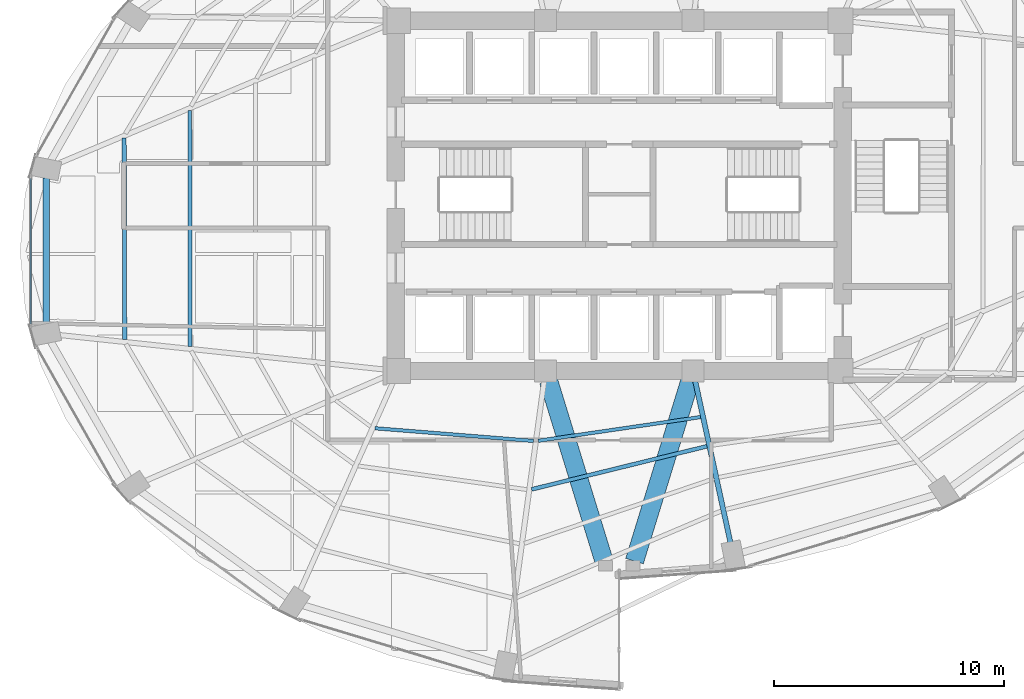
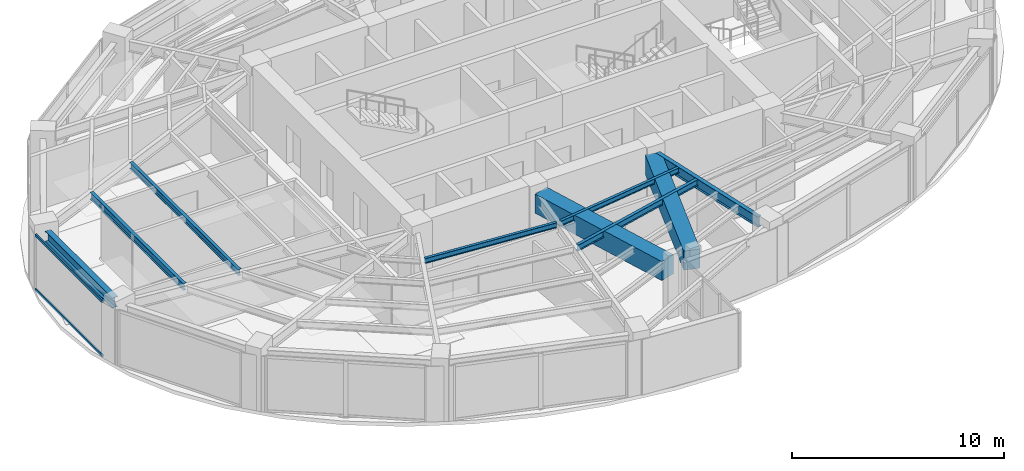
# One storey, part 7 of 24: 9 beams, 2 members, 1 element without a shape of its own.
"""IFC4 building model written with IfcOpenShell, lengths in metres."""

from ifc_helpers import new_model, si_unit, direction, frame, origin, origin_2d, place, context, subcontext, project, spatial, rectangle, hollow_rectangle, i_section, extrude, material, layer, layer_set, material_profile, profile_set, type_object, element, aggregate, save


model = new_model("IFC4")

# Units and contexts
model_context = context("Model", 3, precision=1e-05, world=origin(), true_north=direction((0.0, 1.0)))
body_context = subcontext(model_context, "Body", "Model", "MODEL_VIEW")
ifc_project = project(units=[si_unit("LENGTHUNIT", "METRE"), si_unit("AREAUNIT", "SQUARE_METRE"), si_unit("VOLUMEUNIT", "CUBIC_METRE"), si_unit("PLANEANGLEUNIT", "RADIAN"), si_unit("MASSUNIT", "GRAM", prefix="KILO")], contexts=[model_context])

# Site, building, storey
site_placement = place(None, origin())
site = spatial("IfcSite", under=ifc_project, at=site_placement, CompositionType="ELEMENT")
building_placement = place(site_placement, origin())
building = spatial("IfcBuilding", under=site, at=building_placement, Name="Lazwardi Medical Tower", CompositionType="ELEMENT")
storey_placement = place(building_placement, frame((0.0, 0.0, 129.16796875)))
storey = spatial("IfcBuildingStorey", under=building, at=storey_placement, Name="L33", CompositionType="ELEMENT", Elevation=129.16796875)

# Beams
ifc_material_1 = material(Name="Concrete C70/85", Category="concrete")
ifc_material_profile_1 = material_profile(ifc_material_1, rectangle(XDim=0.800048828125, YDim=1.10009765625, at=origin_2d()), Name="RC 800x1100")
ifc_profile_set_1 = profile_set([ifc_material_profile_1], Name="Concrete C70/85")
beam_type_1 = type_object("IfcBeamType", Name="BM-CB-RC1", PredefinedType="LINTEL", material=ifc_profile_set_1)
for number, where, z_axis, x_axis, name in (
    (1, (32.935302734375, 19.960205078125, 2.64794921875), (0.294073251002, -0.955782884888, 0.0), (0.955782884888, 0.294073251002, 0.0), "Core coupling lintel CB-01 PL3 L33"),
    (2, (39.064697265625, 19.960205078125, 2.64794921875), (-0.294073251002, -0.955782884888, 0.0), (0.955782884888, -0.294073251002, 0.0), "Core coupling lintel CB-01 PL4 L33"),
):
    element("IfcBeam", number, at=place(storey_placement, frame(where, z_axis=z_axis, x_axis=x_axis)), inside=storey, type_object=beam_type_1, Name=name, PredefinedType="LINTEL", context=body_context, shape_type="SweptSolid", body=[
        extrude(rectangle(XDim=0.800048828125, YDim=1.10009765625, at=origin_2d()), origin(), (0.0, 0.0, 1.0), 8.1708984375),
    ])
ifc_material_2 = material(Name="Steel S355", Category="steel")
ifc_material_profile_2 = material_profile(ifc_material_2, i_section(OverallWidth=0.300048828125, OverallDepth=0.60009765625, WebThickness=0.015380859375, FlangeThickness=0.030029296875, at=origin_2d()), Name="HEB 600")
ifc_profile_set_2 = profile_set([ifc_material_profile_2], Name="Steel S355")
beam_type_2 = type_object("IfcBeamType", Name="BM-RB-Z2", PredefinedType="BEAM", material=ifc_profile_set_2)
beam_1_placement = place(storey_placement, frame((11.13720703125, 28.77001953125, 2.89794921875), z_axis=(0.0, -1.0, 0.0), x_axis=(1.0, 0.0, 0.0)))
element("IfcBeam", 3, at=beam_1_placement, inside=storey, type_object=beam_type_2, Name="Ring beam RB-03 B12 L33", PredefinedType="BEAM", context=body_context, shape_type="SweptSolid", body=[
    extrude(i_section(OverallWidth=0.300048828125, OverallDepth=0.60009765625, WebThickness=0.015380859375, FlangeThickness=0.030029296875, at=origin_2d()), origin(), (0.0, 0.0, 1.0), 6.33984375),
])
ifc_material_profile_3 = material_profile(ifc_material_2, i_section(OverallWidth=0.219970703125, OverallDepth=0.60009765625, WebThickness=0.011962890625, FlangeThickness=0.01904296875, at=origin_2d()), Name="IPE 600")
ifc_profile_set_3 = profile_set([ifc_material_profile_3], Name="Steel S355")
beam_type_3 = type_object("IfcBeamType", Name="BM-RG-W1", PredefinedType="BEAM", material=ifc_profile_set_3)
beam_2_placement = place(storey_placement, frame((40.82177734375, 12.96923828125, 2.89794921875), z_axis=(-0.213228150441, 0.977002433907, 0.0), x_axis=(-0.977002433907, -0.213228150441, 0.0)))
element("IfcBeam", 4, at=beam_2_placement, inside=storey, type_object=beam_type_3, Name="Radial girder RG-02 R01 L33", PredefinedType="BEAM", context=body_context, shape_type="SweptSolid", body=[
    extrude(i_section(OverallWidth=0.219970703125, OverallDepth=0.60009765625, WebThickness=0.011962890625, FlangeThickness=0.01904296875, at=origin_2d()), origin(), (0.0, 0.0, 1.0), 7.145751953125),
])
ifc_material_profile_4 = material_profile(ifc_material_2, i_section(OverallWidth=0.179931640625, OverallDepth=0.39990234375, WebThickness=0.008544921875, FlangeThickness=0.013427734375, at=origin_2d()), Name="IPE 400")
ifc_profile_set_4 = profile_set([ifc_material_profile_4], Name="Steel S355")
beam_type_4 = type_object("IfcBeamType", Name="BM-SJ-01", PredefinedType="JOIST", material=ifc_profile_set_4)
beam_3_placement = place(storey_placement, frame((14.51904296875, 30.497314453125, 2.998046875), z_axis=(0.002907126978, -0.999995774297, 0.0), x_axis=(0.999995774297, 0.002907126978, 0.0)))
element("IfcBeam", 5, at=beam_3_placement, inside=storey, type_object=beam_type_4, Name="Secondary joist SJ-01 R1 B12 L33", PredefinedType="JOIST", context=body_context, shape_type="SweptSolid", body=[
    extrude(i_section(OverallWidth=0.179931640625, OverallDepth=0.39990234375, WebThickness=0.008544921875, FlangeThickness=0.013427734375, at=origin_2d()), origin(), (0.0, 0.0, 1.0), 8.73388671875),
])
ifc_material_profile_5 = material_profile(ifc_material_2, i_section(OverallWidth=0.169921875, OverallDepth=0.360107421875, WebThickness=0.008056640625, FlangeThickness=0.0126953125, at=origin_2d()), Name="IPE 360")
ifc_profile_set_5 = profile_set([ifc_material_profile_5], Name="Steel S355")
beam_type_5 = type_object("IfcBeamType", Name="BM-SJ-02", PredefinedType="JOIST", material=ifc_profile_set_5)
beam_4_placement = place(storey_placement, frame((17.365966796875, 31.69482421875, 3.01806640625), z_axis=(0.000930565095, -0.999999567024, 0.0), x_axis=(0.999999567024, 0.000930565095, 0.0)))
element("IfcBeam", 6, at=beam_4_placement, inside=storey, type_object=beam_type_5, Name="Secondary joist SJ-02 R2 B12 L33", PredefinedType="JOIST", context=body_context, shape_type="SweptSolid", body=[
    extrude(i_section(OverallWidth=0.169921875, OverallDepth=0.360107421875, WebThickness=0.008056640625, FlangeThickness=0.0126953125, at=origin_2d()), origin(), (0.0, 0.0, 1.0), 10.23193359375),
])
beam_5_placement = place(storey_placement, frame((32.19775390625, 15.262451171875, 3.01806640625), z_axis=(0.97107737879, 0.238764998276, 0.0), x_axis=(-0.238764998276, 0.97107737879, 0.0)))
element("IfcBeam", 7, at=beam_5_placement, inside=storey, type_object=beam_type_5, Name="Secondary joist SJ-02 R3 B16 L33", PredefinedType="JOIST", context=body_context, shape_type="SweptSolid", body=[
    extrude(i_section(OverallWidth=0.169921875, OverallDepth=0.360107421875, WebThickness=0.008056640625, FlangeThickness=0.0126953125, at=origin_2d()), origin(), (0.0, 0.0, 1.0), 7.83447265625),
])
ifc_material_profile_6 = material_profile(ifc_material_2, i_section(OverallWidth=0.14990234375, OverallDepth=0.300048828125, WebThickness=0.007080078125, FlangeThickness=0.0107421875, at=origin_2d()), Name="IPE 300")
ifc_profile_set_6 = profile_set([ifc_material_profile_6], Name="Steel S355")
beam_type_6 = type_object("IfcBeamType", Name="BM-SJ-03", PredefinedType="JOIST", material=ifc_profile_set_6)
beam_6_placement = place(storey_placement, frame((25.400390625, 17.914306640625, 3.048095703125), z_axis=(0.996816178299, -0.079733974445, 0.0), x_axis=(0.079733974445, 0.996816178299, 0.0)))
element("IfcBeam", 8, at=beam_6_placement, inside=storey, type_object=beam_type_6, Name="Secondary joist SJ-03 R4 B15 L33", PredefinedType="JOIST", context=body_context, shape_type="SweptSolid", body=[
    extrude(i_section(OverallWidth=0.14990234375, OverallDepth=0.300048828125, WebThickness=0.007080078125, FlangeThickness=0.0107421875, at=origin_2d()), origin(), (0.0, 0.0, 1.0), 6.901611328125),
])
beam_7_placement = place(storey_placement, frame((32.488525390625, 17.37060546875, 3.048095703125), z_axis=(0.98949221477, 0.144586157392, 0.0), x_axis=(-0.144586157392, 0.98949221477, 0.0)))
element("IfcBeam", 9, at=beam_7_placement, inside=storey, type_object=beam_type_6, Name="Secondary joist SJ-03 R4 B16 L33", PredefinedType="JOIST", context=body_context, shape_type="SweptSolid", body=[
    extrude(i_section(OverallWidth=0.14990234375, OverallDepth=0.300048828125, WebThickness=0.007080078125, FlangeThickness=0.0107421875, at=origin_2d()), origin(), (0.0, 0.0, 1.0), 7.115478515625),
])

# Curtain wall, members
ifc_material_3 = material(Name="Anodised bronze aluminium and solar control glazing", Category="aluminium")
ifc_layer = layer(ifc_material_3, 0.195068359375)
ifc_layer_set = layer_set([ifc_layer], Name="Anodised bronze aluminium and solar control glazing")
curtain_wall_type = type_object("IfcCurtainWallType", Name="CW-SYS-03", PredefinedType="NOTDEFINED", material=ifc_layer_set)
curtain_wall_placement = place(storey_placement, origin())
curtain_wall = element("IfcCurtainWall", 10, at=curtain_wall_placement, inside=storey, type_object=curtain_wall_type, Name="L33 Unitised bronze curtain wall CW-03", PredefinedType="NOTDEFINED")
ifc_material_4 = material(Name="Anodised bronze aluminium", Category="aluminium")
ifc_material_profile_7 = material_profile(ifc_material_4, hollow_rectangle(XDim=0.074951171875, YDim=0.159912109375, WallThickness=0.00390625, at=origin_2d()), Name="ALU-TRANSOM 160x75x4")
ifc_profile_set_7 = profile_set([ifc_material_profile_7], Name="Anodised bronze aluminium")
member_type = type_object("IfcMemberType", Name="CW-TRN-01", PredefinedType="USERDEFINED", material=ifc_profile_set_7)
member_1_placement = place(storey_placement, frame((10.471923828125, 28.760009765625, 0.03759765625), z_axis=(0.0, -1.0, 0.0), x_axis=(1.0, 0.0, 0.0)))
member_1 = element("IfcMember", 11, at=member_1_placement, type_object=member_type, Name="CW-03 transom 1.1", ObjectType="TRANSOM", PredefinedType="USERDEFINED", context=body_context, shape_type="SweptSolid", body=[
    extrude(hollow_rectangle(XDim=0.074951171875, YDim=0.159912109375, WallThickness=0.00390625, at=origin_2d()), origin(), (0.0, 0.0, 1.0), 6.31982421875),
])
member_2_placement = place(storey_placement, frame((10.471923828125, 28.760009765625, 3.16064453125), z_axis=(0.0, -1.0, 0.0), x_axis=(1.0, 0.0, 0.0)))
member_2 = element("IfcMember", 12, at=member_2_placement, type_object=member_type, Name="CW-03 transom 1.2", ObjectType="TRANSOM", PredefinedType="USERDEFINED", context=body_context, shape_type="SweptSolid", body=[
    extrude(hollow_rectangle(XDim=0.074951171875, YDim=0.159912109375, WallThickness=0.00390625, at=origin_2d()), origin(), (0.0, 0.0, 1.0), 6.31982421875),
])
aggregate(curtain_wall, [member_1, member_2])

save(model, "model.ifc")
